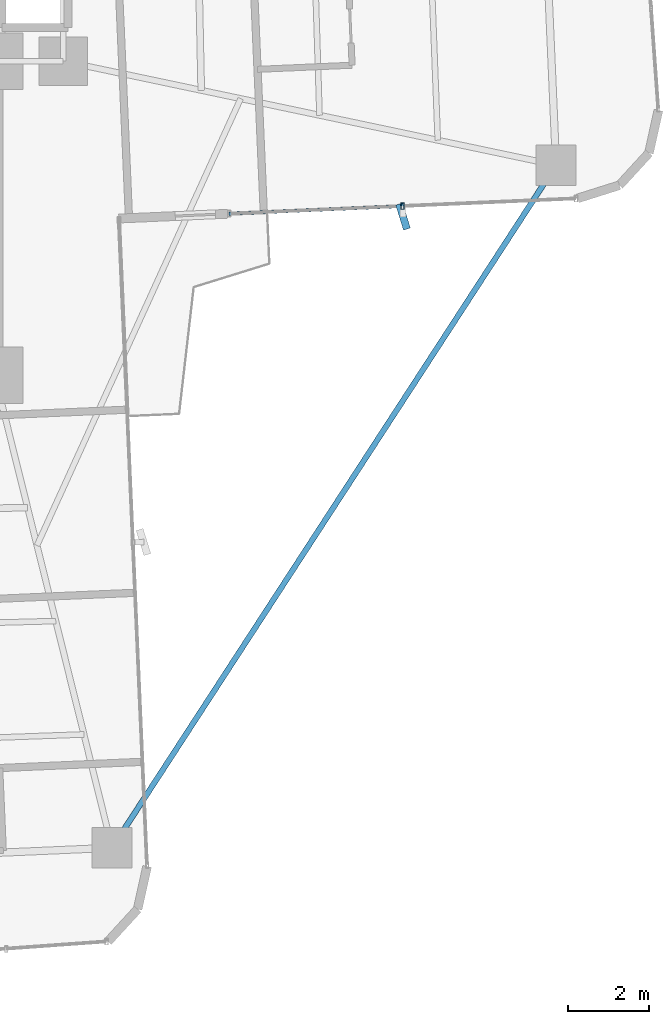
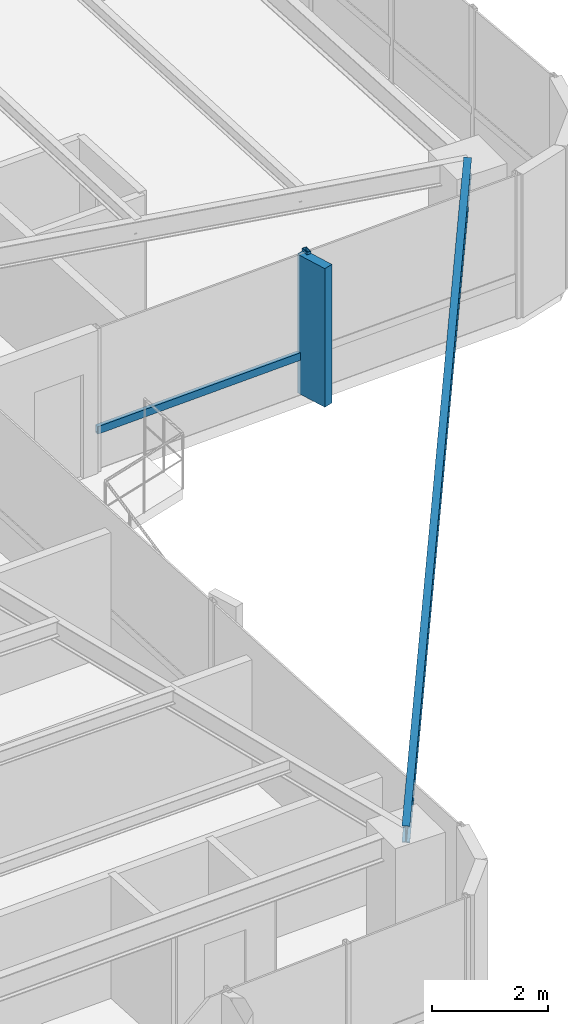
# One storey, part 14 of 26: 3 members, 1 beam, 1 element without a shape of its own.
"""IFC4 building model written with IfcOpenShell, lengths in metres."""

from ifc_helpers import new_model, si_unit, direction, frame, origin, origin_2d, place, context, subcontext, project, spatial, rectangle, hollow_rectangle, i_section, extrude, source, transform, mapped, material, material_profile, profile_set, type_object, element, aggregate, save


model = new_model("IFC4")

# Units and contexts
model_context = context("Model", 3, precision=1e-05, world=origin(), true_north=direction((0.0, 1.0)))
body_context = subcontext(model_context, "Body", "Model", "MODEL_VIEW")
ifc_project = project(units=[si_unit("LENGTHUNIT", "METRE"), si_unit("AREAUNIT", "SQUARE_METRE"), si_unit("VOLUMEUNIT", "CUBIC_METRE"), si_unit("PLANEANGLEUNIT", "RADIAN"), si_unit("MASSUNIT", "GRAM", prefix="KILO")], contexts=[model_context])

# Site, building, storey
site_placement = place(None, origin())
site = spatial("IfcSite", under=ifc_project, at=site_placement, CompositionType="ELEMENT")
building_placement = place(site_placement, origin())
building = spatial("IfcBuilding", under=site, at=building_placement, Name="Sahyath Konkavel Grand Hotel", CompositionType="ELEMENT")
storey_placement = place(building_placement, frame((0.0, 0.0, 134.89990234375)))
storey = spatial("IfcBuildingStorey", under=building, at=storey_placement, Name="L37", CompositionType="ELEMENT", Elevation=134.89990234375)

# Beam
ifc_material_1 = material(Name="Steel E350", Category="steel")
ifc_material_profile_1 = material_profile(ifc_material_1, i_section(OverallWidth=0.139892578125, OverallDepth=0.35009765625, WebThickness=0.008056640625, FlangeThickness=0.01416015625, FilletRadius=0.013916015625, at=origin_2d()), Name="ISMB 350")
ifc_profile_set_1 = profile_set([ifc_material_profile_1], Name="Steel E350")
beam_type = type_object("IfcBeamType", Name="BM-ISMB350", PredefinedType="BEAM", material=ifc_profile_set_1)
shared_shape_1 = source(origin(), body_context, "Body", "SweptSolid", [
    extrude(i_section(OverallWidth=0.139892578125, OverallDepth=0.35009765625, WebThickness=0.008056640625, FlangeThickness=0.01416015625, FilletRadius=0.013916015625, at=origin_2d()), origin(), (0.0, 0.0, 1.0), 20.21533203125),
])
beam_placement = place(storey_placement, frame((17.734130859375, -4.981201171875, 2.85498046875), z_axis=(-0.545191244931, -0.838311700056, 0.0), x_axis=(0.838311700056, -0.545191244931, 0.0)))
element("IfcBeam", 1, at=beam_placement, inside=storey, type_object=beam_type, Name="L37 Re-Entrant Tie Beam SE", PredefinedType="BEAM", context=body_context, shape_type="MappedRepresentation", body=[
    mapped(shared_shape_1, transform((0.0, 0.0, 0.0), scale=1.0)),
])

# Curtain wall, members
ifc_material_2 = material(Name="Anodised Bronze Aluminium & Low-E Glazing", Category="aluminium")
curtain_wall_type = type_object("IfcCurtainWallType", Name="CW-ZONE2", PredefinedType="NOTDEFINED", material=ifc_material_2)
curtain_wall_placement = place(storey_placement, origin())
curtain_wall = element("IfcCurtainWall", 2, at=curtain_wall_placement, inside=storey, type_object=curtain_wall_type, Name="L37 Unitised Curtain Wall F0", PredefinedType="NOTDEFINED")
ifc_material_3 = material(Name="Anodised Bronze Aluminium", Category="aluminium")
ifc_material_profile_2 = material_profile(ifc_material_3, hollow_rectangle(XDim=0.080078125, YDim=0.159912109375, WallThickness=0.006103515625, at=origin_2d()), Name="RHS 160x80x6")
ifc_profile_set_2 = profile_set([ifc_material_profile_2], Name="Anodised Bronze Aluminium")
member_type_1 = type_object("IfcMemberType", Name="CW-MUL-160", PredefinedType="MULLION", material=ifc_profile_set_2)
shared_shape_2 = source(origin(), body_context, "Body", "SweptSolid", [
    extrude(hollow_rectangle(XDim=0.080078125, YDim=0.159912109375, WallThickness=0.006103515625, at=origin_2d()), origin(), (0.0, 0.0, 1.0), 3.030029296875),
])
member_1_placement = place(storey_placement, frame((13.9248046875, -5.998291015625, 0.0), z_axis=(0.0, 0.0, 1.0), x_axis=(1.0, 0.0, 0.0)))
member_1 = element("IfcMember", 3, at=member_1_placement, type_object=member_type_1, Name="L37 Curtain Wall Mullion F0-1", PredefinedType="MULLION", context=body_context, shape_type="MappedRepresentation", body=[
    mapped(shared_shape_2, transform((0.0, 0.0, 0.0), scale=1.0)),
])
ifc_material_4 = material(Name="Warm Buff Sandstone Cladding on Concrete C50/60", Category="masonry")
ifc_material_profile_3 = material_profile(ifc_material_4, rectangle(XDim=0.179931640625, YDim=0.64990234375, at=origin_2d()), Name="FIN 180x650")
ifc_profile_set_3 = profile_set([ifc_material_profile_3], Name="Warm Buff Sandstone Cladding on Concrete C50/60")
member_type_2 = type_object("IfcMemberType", Name="FIN-SANDSTONE-650", PredefinedType="MULLION", material=ifc_profile_set_3)
shared_shape_3 = source(origin(), body_context, "Body", "SweptSolid", [
    extrude(rectangle(XDim=0.179931640625, YDim=0.64990234375, at=origin_2d()), origin(), (0.0, 0.0, 1.0), 2.929931640625),
])
member_2_placement = place(storey_placement, frame((13.936279296875, -6.258056640625, 0.050048828125), z_axis=(0.0, 0.0, 1.0), x_axis=(0.954812686667, 0.297208232354, 0.0)))
member_2 = element("IfcMember", 4, at=member_2_placement, type_object=member_type_2, Name="L37 Sandstone Vertical Solar Fin FIN F0-1", PredefinedType="MULLION", context=body_context, shape_type="MappedRepresentation", body=[
    mapped(shared_shape_3, transform((0.0, 0.0, 0.0), scale=1.0)),
])
ifc_material_profile_4 = material_profile(ifc_material_3, hollow_rectangle(XDim=0.080078125, YDim=0.159912109375, WallThickness=0.006103515625, at=origin_2d()), Name="RHS 160x80x6")
ifc_profile_set_4 = profile_set([ifc_material_profile_4], Name="Anodised Bronze Aluminium")
member_type_3 = type_object("IfcMemberType", Name="CW-TRN-160", PredefinedType="USERDEFINED", material=ifc_profile_set_4)
shared_shape_4 = source(origin(), body_context, "Body", "SweptSolid", [
    extrude(hollow_rectangle(XDim=0.080078125, YDim=0.159912109375, WallThickness=0.006103515625, at=origin_2d()), origin(), (0.0, 0.0, 1.0), 4.31005859375),
])
member_3_placement = place(storey_placement, frame((9.618896484375, -6.186279296875, 0.85009765625), z_axis=(0.999048340188, 0.043616670746, 0.0), x_axis=(-0.043616670746, 0.999048340188, 0.0)))
member_3 = element("IfcMember", 5, at=member_3_placement, type_object=member_type_3, Name="L37 Curtain Wall Transom F0-0-spandrel", ObjectType="TRANSOM", PredefinedType="USERDEFINED", context=body_context, shape_type="MappedRepresentation", body=[
    mapped(shared_shape_4, transform((0.0, 0.0, 0.0), scale=1.0)),
])
aggregate(curtain_wall, [member_1, member_2, member_3])

save(model, "model.ifc")
